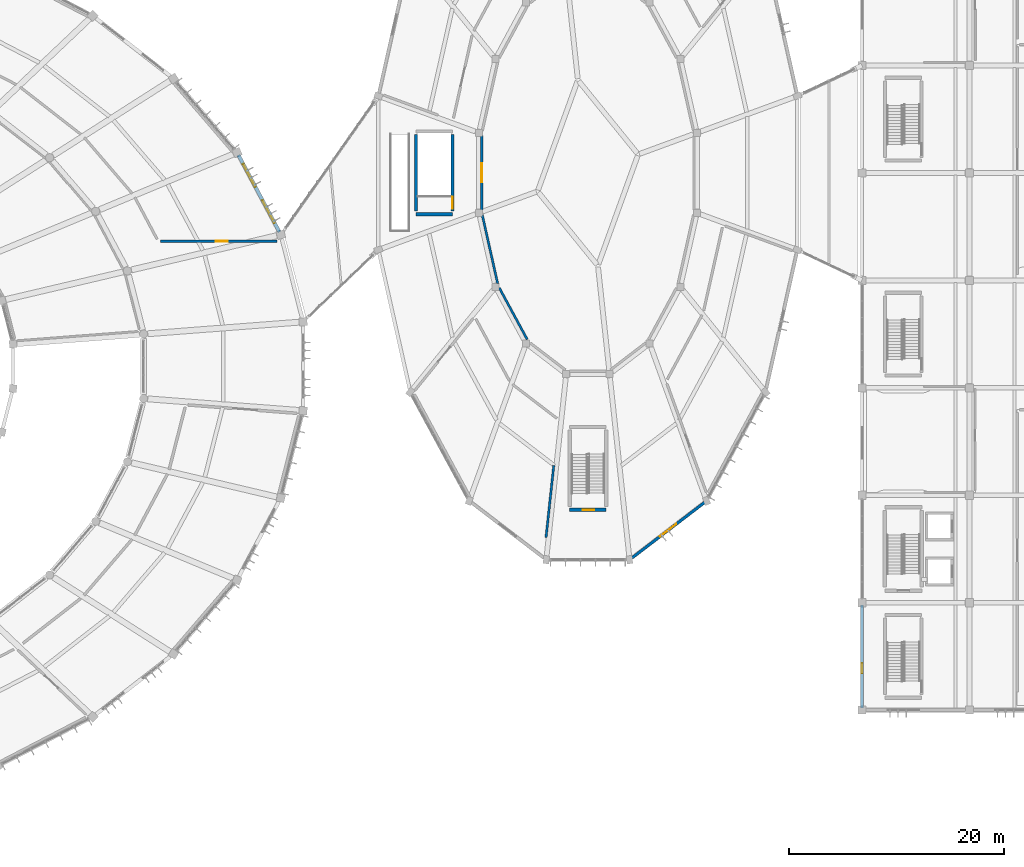
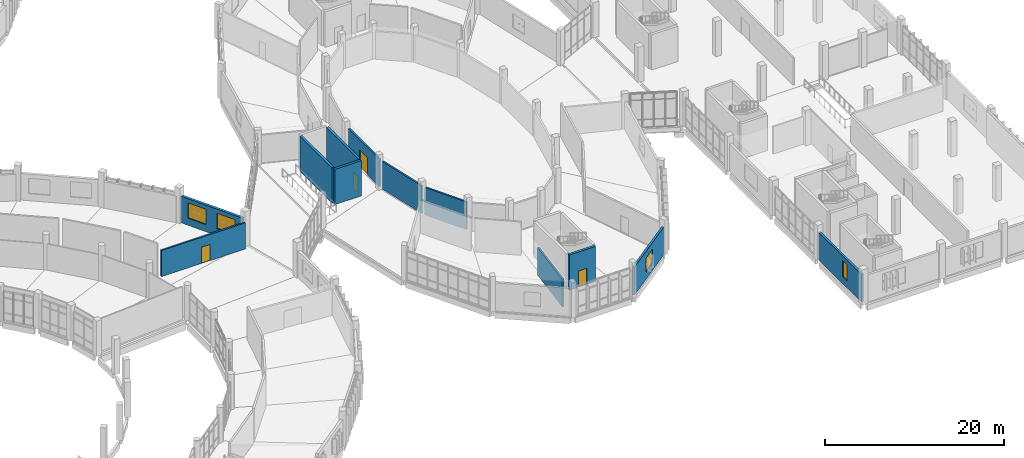
# One storey, part 123 of 179: 12 walls, 4 doors, 4 windows, 8 openings.
"""IFC4 building model written with IfcOpenShell, lengths in metres."""

from ifc_helpers import new_model, si_unit, direction, frame, frame_2d, origin, place, context, subcontext, project, spatial, rectangle, extrude, material, layer, layer_set, type_object, element, fill, save


model = new_model("IFC4")

# Units and contexts
model_context = context("Model", 3, precision=1e-05, world=origin(), true_north=direction((0.0, 1.0)))
body_context = subcontext(model_context, "Body", "Model", "MODEL_VIEW")
ifc_project = project(units=[si_unit("LENGTHUNIT", "METRE"), si_unit("AREAUNIT", "SQUARE_METRE"), si_unit("VOLUMEUNIT", "CUBIC_METRE"), si_unit("PLANEANGLEUNIT", "RADIAN"), si_unit("MASSUNIT", "GRAM", prefix="KILO")], contexts=[model_context])

# Site, building, storey
site_placement = place(None, origin())
site = spatial("IfcSite", under=ifc_project, at=site_placement, CompositionType="ELEMENT")
building_placement = place(site_placement, origin())
building = spatial("IfcBuilding", under=site, at=building_placement, Name="Corvandel Quay Wholesale Market", CompositionType="ELEMENT")
storey_placement = place(building_placement, frame((0.0, 0.0, 6.0)))
storey = spatial("IfcBuildingStorey", under=building, at=storey_placement, Name="L01", CompositionType="ELEMENT", Elevation=6.0)

# Wall, opening, window
ifc_material_1 = material(Name="Buff-pigmented precast concrete C45/55", Category="concrete")
ifc_layer_1 = layer(ifc_material_1, 0.280029296875)
ifc_layer_set_1 = layer_set([ifc_layer_1], Name="Buff-pigmented precast concrete C45/55")
wall_type_1 = type_object("IfcWallType", Name="Colonnade Spandrel Precast Wall EW07 280", PredefinedType="SOLIDWALL", material=ifc_layer_set_1)
wall_1_placement = place(storey_placement, frame((220.0, 10.219970703125, 0.0), z_axis=(0.0, 0.0, 1.0), x_axis=(0.0, 1.0, 0.0)))
wall_1 = element("IfcWall", 1, at=wall_1_placement, inside=storey, type_object=wall_type_1, Name="Exterior Wall EW-0350", PredefinedType="SOLIDWALL", context=body_context, shape_type="SweptSolid", body=[
    extrude(rectangle(XDim=9.56005859375, YDim=0.280029296875, at=frame_2d((4.780029296875, 0.0))), origin(), (0.0, 0.0, 1.0), 3.760009765625),
])
opening_1_placement = place(wall_1_placement, frame((3.199951171875, 0.0, 0.949951171875)))
opening_1 = element("IfcOpeningElement", 2, at=opening_1_placement, cuts=wall_1, Name="Opening L01-W087", PredefinedType="OPENING", context=body_context, shape_type="SweptSolid", body=[
    extrude(rectangle(XDim=0.949951171875, YDim=2.199951171875, at=frame_2d((0.47509765625, 1.10009765625))), frame((0.0, 0.14990234375, 0.0), z_axis=(0.0, -1.0, 0.0), x_axis=(1.0, 0.0, 0.0)), (0.0, 0.0, 1.0), 0.300048828125),
])
ifc_material_2 = material(Name="Thermally broken bronze anodised aluminium and solar-control low-E double glazing", Category="aluminium")
window_type_1 = type_object("IfcWindowType", Name="Stair Tower Daylight Slot Window WN21 950x2200", PartitioningType="SINGLE_PANEL", PredefinedType="WINDOW", material=ifc_material_2)
window_1_placement = place(opening_1_placement, origin())
window_1 = element("IfcWindow", 3, at=window_1_placement, inside=storey, type_object=window_type_1, Name="Window L01-W087", OverallHeight=2.199951171875, OverallWidth=0.949951171875, PartitioningType="SINGLE_PANEL", PredefinedType="WINDOW", context=body_context, shape_type="SweptSolid", body=[
    extrude(rectangle(XDim=0.949951171875, YDim=2.199951171875, at=frame_2d((0.47509765625, 1.10009765625))), frame((0.0, 0.030029296875, 0.0), z_axis=(0.0, -1.0, 0.0), x_axis=(1.0, 0.0, 0.0)), (0.0, 0.0, 1.0), 0.06005859375),
])
fill(opening_1, window_1)

# Wall, opening, door
ifc_material_3 = material(Name="Gypsum-clad steel stud framing", Category="steel")
ifc_layer_2 = layer(ifc_material_3, 0.2099609375)
ifc_layer_set_2 = layer_set([ifc_layer_2], Name="Gypsum-clad steel stud framing")
wall_type_2 = type_object("IfcWallType", Name="Corridor Rated Partition PT02 210", PredefinedType="PARTITIONING", material=ifc_layer_set_2)
wall_2_placement = place(storey_placement, frame((165.572021484375, 53.639892578125, 0.0), z_axis=(0.0, 0.0, 1.0), x_axis=(-1.0, 0.0, 0.0)))
wall_2 = element("IfcWall", 4, at=wall_2_placement, inside=storey, type_object=wall_type_2, Name="Interior Wall IW-0448", PredefinedType="PARTITIONING", context=body_context, shape_type="SweptSolid", body=[
    extrude(rectangle(XDim=10.840087890625, YDim=0.2099609375, at=frame_2d((5.419921875, 0.0))), origin(), (0.0, 0.0, 1.0), 3.56005859375),
])
opening_2_placement = place(wall_2_placement, frame((4.570068359375, 0.0, 0.0)))
opening_2 = element("IfcOpeningElement", 5, at=opening_2_placement, cuts=wall_2, Name="Opening L01-D031", PredefinedType="OPENING", context=body_context, shape_type="SweptSolid", body=[
    extrude(rectangle(XDim=1.14990234375, YDim=2.199951171875, at=frame_2d((0.574951171875, 1.10009765625))), frame((0.0, 0.114990234375, 0.0), z_axis=(0.0, -1.0, 0.0), x_axis=(1.0, 0.0, 0.0)), (0.0, 0.0, 1.0), 0.22998046875),
])
ifc_material_4 = material(Name="HPL-faced hygienic timber core", Category="wood")
door_type_1 = type_object("IfcDoorType", Name="Inspection Suite Door ID20 1150x2200L", OperationType="SINGLE_SWING_LEFT", PredefinedType="DOOR", material=ifc_material_4)
door_1_placement = place(opening_2_placement, origin())
door_1 = element("IfcDoor", 6, at=door_1_placement, inside=storey, type_object=door_type_1, Name="Produce Sorting and Inspection Gallery East Door", OperationType="SINGLE_SWING_LEFT", OverallHeight=2.199951171875, OverallWidth=1.14990234375, PredefinedType="DOOR", context=body_context, shape_type="SweptSolid", body=[
    extrude(rectangle(XDim=1.14990234375, YDim=2.199951171875, at=frame_2d((0.574951171875, 1.10009765625))), frame((0.0, 0.02490234375, 0.0), z_axis=(0.0, -1.0, 0.0), x_axis=(1.0, 0.0, 0.0)), (0.0, 0.0, 1.0), 0.050048828125),
])
fill(opening_2, door_1)

# Walls
wall_3_placement = place(storey_placement, frame((188.853271484375, 44.49658203125, 0.0), z_axis=(0.0, 0.0, 1.0), x_axis=(-0.476219723691, 0.879326318705, 0.0)))
element("IfcWall", 7, at=wall_3_placement, inside=storey, type_object=wall_type_2, Name="Interior Wall IW-0716", PredefinedType="PARTITIONING", context=body_context, shape_type="SweptSolid", body=[
    extrude(rectangle(XDim=5.456298828125, YDim=0.2099609375, at=frame_2d((2.72802734375, 0.0))), origin(), (0.0, 0.0, 1.0), 3.760009765625),
])
wall_4_placement = place(storey_placement, frame((186.101806640625, 49.70263671875, 0.0), z_axis=(0.0, 0.0, 1.0), x_axis=(-0.218983275202, 0.975728612464, 0.0)))
element("IfcWall", 8, at=wall_4_placement, inside=storey, type_object=wall_type_2, Name="Interior Wall IW-0717", PredefinedType="PARTITIONING", context=body_context, shape_type="SweptSolid", body=[
    extrude(rectangle(XDim=6.546630859375, YDim=0.2099609375, at=frame_2d((3.2734375, 0.0))), origin(), (0.0, 0.0, 1.0), 3.760009765625),
])

# Wall, opening, door
wall_5_placement = place(storey_placement, frame((184.6201171875, 56.52490234375, 0.0), z_axis=(0.0, 0.0, 1.0), x_axis=(0.0, 1.0, 0.0)))
wall_5 = element("IfcWall", 9, at=wall_5_placement, inside=storey, type_object=wall_type_2, Name="Interior Wall IW-0718", PredefinedType="PARTITIONING", context=body_context, shape_type="SweptSolid", body=[
    extrude(rectangle(XDim=6.9501953125, YDim=0.2099609375, at=frame_2d((3.47509765625, 0.0))), origin(), (0.0, 0.0, 1.0), 3.760009765625),
])
opening_3_placement = place(wall_5_placement, frame((2.625, 0.0, 0.0)))
opening_3 = element("IfcOpeningElement", 10, at=opening_3_placement, cuts=wall_5, Name="Opening L01-D046", PredefinedType="OPENING", context=body_context, shape_type="SweptSolid", body=[
    extrude(rectangle(XDim=1.75, YDim=2.35009765625, at=frame_2d((0.875, 1.175048828125))), frame((0.0, 0.114990234375, 0.0), z_axis=(0.0, -1.0, 0.0), x_axis=(1.0, 0.0, 0.0)), (0.0, 0.0, 1.0), 0.22998046875),
])
ifc_material_5 = material(Name="Acoustic timber double leaf", Category="wood")
door_type_2 = type_object("IfcDoorType", Name="Auction Hall Acoustic Door ID18 1750x2350", OperationType="DOUBLE_DOOR_SINGLE_SWING", PredefinedType="DOOR", material=ifc_material_5)
door_2_placement = place(opening_3_placement, origin())
door_2 = element("IfcDoor", 11, at=door_2_placement, inside=storey, type_object=door_type_2, Name="Wholesale Auction Room Door", OperationType="DOUBLE_DOOR_SINGLE_SWING", OverallHeight=2.35009765625, OverallWidth=1.75, PredefinedType="DOOR", context=body_context, shape_type="SweptSolid", body=[
    extrude(rectangle(XDim=1.75, YDim=2.35009765625, at=frame_2d((0.875, 1.175048828125))), frame((0.0, 0.02490234375, 0.0), z_axis=(0.0, -1.0, 0.0), x_axis=(1.0, 0.0, 0.0)), (0.0, 0.0, 1.0), 0.050048828125),
])
fill(opening_3, door_2)

# Wall
wall_6_placement = place(storey_placement, frame((191.326416015625, 32.787109375, 0.0), z_axis=(0.0, 0.0, 1.0), x_axis=(-0.107128203979, -0.994245215182, 0.0)))
element("IfcWall", 12, at=wall_6_placement, inside=storey, type_object=wall_type_2, Name="Interior Wall IW-0743", PredefinedType="PARTITIONING", context=body_context, shape_type="SweptSolid", body=[
    extrude(rectangle(XDim=6.750244140625, YDim=0.2099609375, at=frame_2d((3.375, 0.0))), origin(), (0.0, 0.0, 1.0), 3.760009765625),
])

# Wall, opening, window
ifc_material_6 = material(Name="Terracotta precast concrete C45/55", Category="masonry")
ifc_layer_3 = layer(ifc_material_6, 0.260009765625)
ifc_layer_set_3 = layer_set([ifc_layer_3], Name="Terracotta precast concrete C45/55")
wall_type_3 = type_object("IfcWallType", Name="Pavilion Pilaster Infill Wall EW08 260", PredefinedType="SOLIDWALL", material=ifc_layer_set_3)
wall_7_placement = place(storey_placement, frame((198.5537109375, 24.133544921875, 0.0), z_axis=(0.0, 0.0, 1.0), x_axis=(0.794325535109, 0.607492340918, 0.0)))
wall_7 = element("IfcWall", 13, at=wall_7_placement, inside=storey, type_object=wall_type_3, Name="Exterior Wall EW-0188", PredefinedType="SOLIDWALL", context=body_context, shape_type="SweptSolid", body=[
    extrude(rectangle(XDim=8.58251953125, YDim=0.260009765625, at=frame_2d((4.291259765625, 0.0))), origin(), (0.0, 0.0, 1.0), 3.81005859375),
])
opening_4_placement = place(wall_7_placement, frame((3.341064453125, 0.0, 1.0)))
opening_4 = element("IfcOpeningElement", 14, at=opening_4_placement, cuts=wall_7, Name="Opening L01-W050", PredefinedType="OPENING", context=body_context, shape_type="SweptSolid", body=[
    extrude(rectangle(XDim=1.89990234375, YDim=1.89990234375, at=frame_2d((0.949951171875, 0.949951171875))), frame((0.0, 0.139892578125, 0.0), z_axis=(0.0, -1.0, 0.0), x_axis=(1.0, 0.0, 0.0)), (0.0, 0.0, 1.0), 0.280029296875),
])
window_type_2 = type_object("IfcWindowType", Name="Auction Gallery Window WN12 1900x1900", PartitioningType="SINGLE_PANEL", PredefinedType="WINDOW", material=ifc_material_2)
window_2_placement = place(opening_4_placement, origin())
window_2 = element("IfcWindow", 15, at=window_2_placement, inside=storey, type_object=window_type_2, Name="Window L01-W050", OverallHeight=1.89990234375, OverallWidth=1.89990234375, PartitioningType="SINGLE_PANEL", PredefinedType="WINDOW", context=body_context, shape_type="SweptSolid", body=[
    extrude(rectangle(XDim=1.89990234375, YDim=1.89990234375, at=frame_2d((0.949951171875, 0.949951171875))), frame((0.0, 0.030029296875, 0.0), z_axis=(0.0, -1.0, 0.0), x_axis=(1.0, 0.0, 0.0)), (0.0, 0.0, 1.0), 0.06005859375),
])
fill(opening_4, window_2)

# Wall, openings, windows
ifc_layer_4 = layer(ifc_material_1, 0.320068359375)
ifc_layer_set_4 = layer_set([ifc_layer_4], Name="Buff-pigmented precast concrete C45/55")
wall_type_4 = type_object("IfcWallType", Name="Sandstone Buff Precast Wall EW02 320", PredefinedType="SOLIDWALL", material=ifc_layer_set_4)
wall_8_placement = place(storey_placement, frame((165.798095703125, 54.4892578125, 0.0), z_axis=(0.0, 0.0, 1.0), x_axis=(-0.47010905891, 0.882608334841, 0.0)))
wall_8 = element("IfcWall", 16, at=wall_8_placement, inside=storey, type_object=wall_type_4, Name="Exterior Wall EW-0003", PredefinedType="SOLIDWALL", context=body_context, shape_type="SweptSolid", body=[
    extrude(rectangle(XDim=8.11962890625, YDim=0.320068359375, at=frame_2d((4.059814453125, 0.0))), origin(), (0.0, 0.0, 1.0), 3.610107421875),
])
opening_5_placement = place(wall_8_placement, frame((0.949951171875, 0.0, 0.949951171875)))
opening_5 = element("IfcOpeningElement", 17, at=opening_5_placement, cuts=wall_8, Name="Opening L01-W001", PredefinedType="OPENING", context=body_context, shape_type="SweptSolid", body=[
    extrude(rectangle(XDim=2.39990234375, YDim=2.10009765625, at=frame_2d((1.199951171875, 1.050048828125))), frame((0.0, 0.169921875, 0.0), z_axis=(0.0, -1.0, 0.0), x_axis=(1.0, 0.0, 0.0)), (0.0, 0.0, 1.0), 0.340087890625),
])
opening_6_placement = place(wall_8_placement, frame((4.77001953125, 0.0, 0.949951171875)))
opening_6 = element("IfcOpeningElement", 18, at=opening_6_placement, cuts=wall_8, Name="Opening L01-W002", PredefinedType="OPENING", context=body_context, shape_type="SweptSolid", body=[
    extrude(rectangle(XDim=2.39990234375, YDim=2.10009765625, at=frame_2d((1.199951171875, 1.050048828125))), frame((0.0, 0.169921875, 0.0), z_axis=(0.0, -1.0, 0.0), x_axis=(1.0, 0.0, 0.0)), (0.0, 0.0, 1.0), 0.340087890625),
])
window_type_3 = type_object("IfcWindowType", Name="Produce Gallery Punched Window WN02 2400x2100", PartitioningType="SINGLE_PANEL", PredefinedType="WINDOW", material=ifc_material_2)
window_3_placement = place(opening_5_placement, origin())
window_3 = element("IfcWindow", 19, at=window_3_placement, inside=storey, type_object=window_type_3, Name="Window L01-W001", OverallHeight=2.10009765625, OverallWidth=2.39990234375, PartitioningType="SINGLE_PANEL", PredefinedType="WINDOW", context=body_context, shape_type="SweptSolid", body=[
    extrude(rectangle(XDim=2.39990234375, YDim=2.10009765625, at=frame_2d((1.199951171875, 1.050048828125))), frame((0.0, 0.030029296875, 0.0), z_axis=(0.0, -1.0, 0.0), x_axis=(1.0, 0.0, 0.0)), (0.0, 0.0, 1.0), 0.06005859375),
])
fill(opening_5, window_3)
window_4_placement = place(opening_6_placement, origin())
window_4 = element("IfcWindow", 20, at=window_4_placement, inside=storey, type_object=window_type_3, Name="Window L01-W002", OverallHeight=2.10009765625, OverallWidth=2.39990234375, PartitioningType="SINGLE_PANEL", PredefinedType="WINDOW", context=body_context, shape_type="SweptSolid", body=[
    extrude(rectangle(XDim=2.39990234375, YDim=2.10009765625, at=frame_2d((1.199951171875, 1.050048828125))), frame((0.0, 0.030029296875, 0.0), z_axis=(0.0, -1.0, 0.0), x_axis=(1.0, 0.0, 0.0)), (0.0, 0.0, 1.0), 0.06005859375),
])
fill(opening_6, window_4)

# Wall, opening, door
ifc_material_7 = material(Name="Concrete C40/50", Category="concrete")
ifc_layer_5 = layer(ifc_material_7, 0.300048828125)
ifc_layer_set_5 = layer_set([ifc_layer_5], Name="Concrete C40/50")
wall_type_5 = type_object("IfcWallType", Name="Stair Shaft Shear Wall SW02 300", PredefinedType="SHEAR", material=ifc_layer_set_5)
wall_9_placement = place(storey_placement, frame((192.800048828125, 28.64990234375, 0.0), z_axis=(0.0, 0.0, 1.0), x_axis=(1.0, 0.0, 0.0)))
wall_9 = element("IfcWall", 21, at=wall_9_placement, inside=storey, type_object=wall_type_5, Name="Shear Wall IW-0093", PredefinedType="SHEAR", context=body_context, shape_type="SweptSolid", body=[
    extrude(rectangle(XDim=3.39990234375, YDim=0.300048828125, at=frame_2d((1.699951171875, 0.0))), origin(), (0.0, 0.0, 1.0), 4.800048828125),
])
opening_7_placement = place(wall_9_placement, frame((1.199951171875, 0.0, 0.0)))
opening_7 = element("IfcOpeningElement", 22, at=opening_7_placement, cuts=wall_9, Name="Opening L01-D010", PredefinedType="OPENING", context=body_context, shape_type="SweptSolid", body=[
    extrude(rectangle(XDim=1.10009765625, YDim=2.199951171875, at=frame_2d((0.550048828125, 1.10009765625))), frame((0.0, 0.159912109375, 0.0), z_axis=(0.0, -1.0, 0.0), x_axis=(1.0, 0.0, 0.0)), (0.0, 0.0, 1.0), 0.320068359375),
])
ifc_material_8 = material(Name="Galvanised fire-rated hollow steel", Category="steel")
door_type_3 = type_object("IfcDoorType", Name="Exit Stair Fire Door ID02 1100x2200R", OperationType="SINGLE_SWING_RIGHT", PredefinedType="DOOR", material=ifc_material_8)
door_3_placement = place(opening_7_placement, origin())
door_3 = element("IfcDoor", 23, at=door_3_placement, inside=storey, type_object=door_type_3, Name="Exit Stair Door SH09-L01", OperationType="SINGLE_SWING_RIGHT", OverallHeight=2.199951171875, OverallWidth=1.10009765625, PredefinedType="DOOR", context=body_context, shape_type="SweptSolid", body=[
    extrude(rectangle(XDim=1.10009765625, YDim=2.199951171875, at=frame_2d((0.550048828125, 1.10009765625))), frame((0.0, 0.02490234375, 0.0), z_axis=(0.0, -1.0, 0.0), x_axis=(1.0, 0.0, 0.0)), (0.0, 0.0, 1.0), 0.050048828125),
])
fill(opening_7, door_3)

# Walls
wall_10_placement = place(storey_placement, frame((178.5, 56.14990234375, 0.0), z_axis=(0.0, 0.0, 1.0), x_axis=(1.0, 0.0, 0.0)))
element("IfcWall", 24, at=wall_10_placement, inside=storey, type_object=wall_type_5, Name="Shear Wall IW-0105", PredefinedType="SHEAR", context=body_context, shape_type="SweptSolid", body=[
    extrude(rectangle(XDim=3.39990234375, YDim=0.300048828125, at=frame_2d((1.699951171875, 0.0))), origin(), (0.0, 0.0, 1.0), 4.800048828125),
])
wall_11_placement = place(storey_placement, frame((178.5, 56.43994140625, 0.0), z_axis=(0.0, 0.0, 1.0), x_axis=(0.0, 1.0, 0.0)))
element("IfcWall", 25, at=wall_11_placement, inside=storey, type_object=wall_type_5, Name="Shear Wall IW-0107", PredefinedType="SHEAR", context=body_context, shape_type="SweptSolid", body=[
    extrude(rectangle(XDim=7.1201171875, YDim=0.300048828125, at=frame_2d((3.56005859375, 0.0))), origin(), (0.0, 0.0, 1.0), 4.800048828125),
])

# Wall, opening, door
wall_12_placement = place(storey_placement, frame((181.89990234375, 56.43994140625, 0.0), z_axis=(0.0, 0.0, 1.0), x_axis=(0.0, 1.0, 0.0)))
wall_12 = element("IfcWall", 26, at=wall_12_placement, inside=storey, type_object=wall_type_5, Name="Shear Wall IW-0108", PredefinedType="SHEAR", context=body_context, shape_type="SweptSolid", body=[
    extrude(rectangle(XDim=7.1201171875, YDim=0.300048828125, at=frame_2d((3.56005859375, 0.0))), origin(), (0.0, 0.0, 1.0), 4.800048828125),
])
opening_8_placement = place(wall_12_placement, frame((0.219970703125, 0.0, 0.0)))
opening_8 = element("IfcOpeningElement", 27, at=opening_8_placement, cuts=wall_12, Name="Opening L01-D011", PredefinedType="OPENING", context=body_context, shape_type="SweptSolid", body=[
    extrude(rectangle(XDim=1.10009765625, YDim=2.199951171875, at=frame_2d((0.550048828125, 1.10009765625))), frame((0.0, 0.159912109375, 0.0), z_axis=(0.0, -1.0, 0.0), x_axis=(1.0, 0.0, 0.0)), (0.0, 0.0, 1.0), 0.320068359375),
])
door_type_4 = type_object("IfcDoorType", Name="Exit Stair Fire Door ID01 1100x2200L", OperationType="SINGLE_SWING_LEFT", PredefinedType="DOOR", material=ifc_material_8)
door_4_placement = place(opening_8_placement, origin())
door_4 = element("IfcDoor", 28, at=door_4_placement, inside=storey, type_object=door_type_4, Name="Exit Stair Door SH10-L01", OperationType="SINGLE_SWING_LEFT", OverallHeight=2.199951171875, OverallWidth=1.10009765625, PredefinedType="DOOR", context=body_context, shape_type="SweptSolid", body=[
    extrude(rectangle(XDim=1.10009765625, YDim=2.199951171875, at=frame_2d((0.550048828125, 1.10009765625))), frame((0.0, 0.02490234375, 0.0), z_axis=(0.0, -1.0, 0.0), x_axis=(1.0, 0.0, 0.0)), (0.0, 0.0, 1.0), 0.050048828125),
])
fill(opening_8, door_4)

save(model, "model.ifc")
